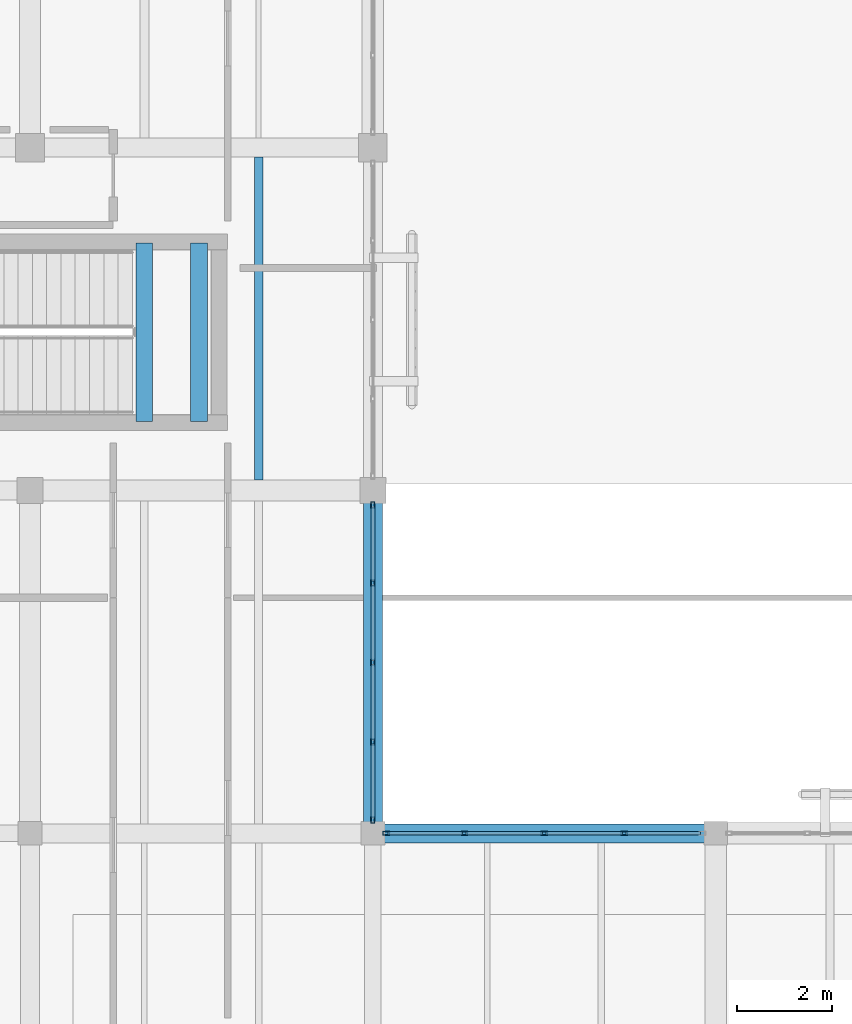
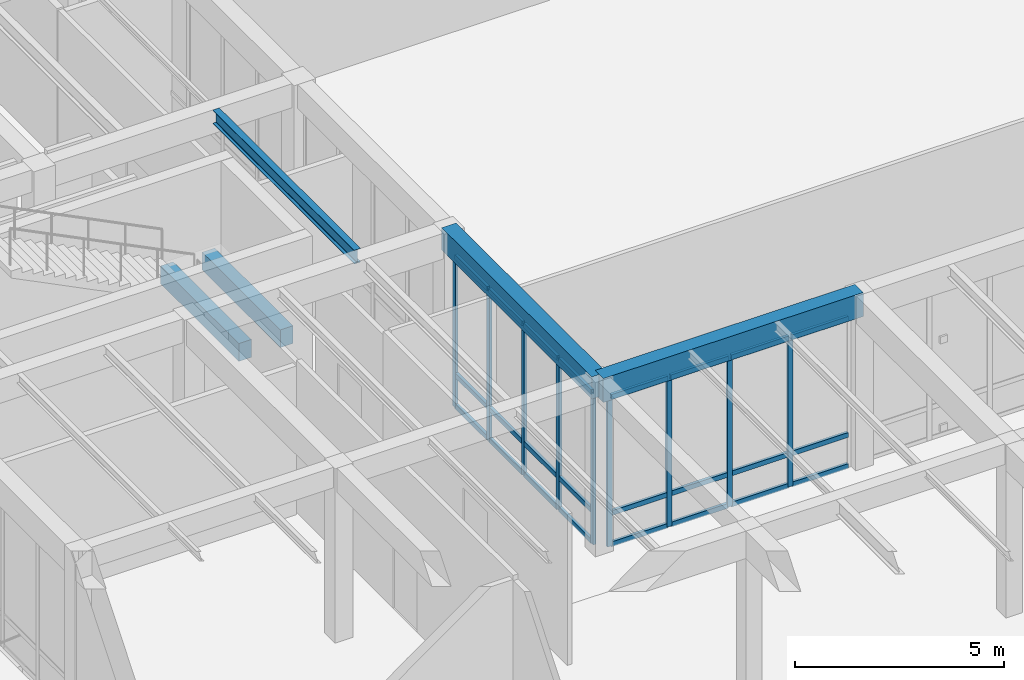
# One storey, part 94 of 169: 33 members, 5 beams, 2 elements without a shape of their own.
"""IFC4 building model written with IfcOpenShell, lengths in metres."""

from ifc_helpers import new_model, si_unit, direction, frame, origin, origin_2d, place, context, subcontext, project, spatial, rectangle, hollow_rectangle, i_section, extrude, material, layer, layer_set, material_profile, profile_set, type_object, element, aggregate, save


model = new_model("IFC4")

# Units and contexts
model_context = context("Model", 3, precision=1e-05, world=origin(), true_north=direction((0.0, 1.0)))
body_context = subcontext(model_context, "Body", "Model", "MODEL_VIEW")
ifc_project = project(units=[si_unit("LENGTHUNIT", "METRE"), si_unit("AREAUNIT", "SQUARE_METRE"), si_unit("VOLUMEUNIT", "CUBIC_METRE"), si_unit("PLANEANGLEUNIT", "RADIAN"), si_unit("MASSUNIT", "GRAM", prefix="KILO")], contexts=[model_context])

# Site, building, storey
site_placement = place(None, origin())
site = spatial("IfcSite", under=ifc_project, at=site_placement, CompositionType="ELEMENT")
building_placement = place(site_placement, origin())
building = spatial("IfcBuilding", under=site, at=building_placement, Name="Mazaris Harbour Polytechnic", CompositionType="ELEMENT")
storey_placement = place(building_placement, origin())
storey = spatial("IfcBuildingStorey", under=building, at=storey_placement, Name="L00", CompositionType="ELEMENT", Elevation=0.0)

# Curtain wall, members
ifc_material_1 = material(Name="Anodised Bronze Aluminium and Low-E Glass", Category="aluminium")
ifc_layer = layer(ifc_material_1, 0.169921875, Name="Anodised Bronze Aluminium and Low-E Glass")
ifc_layer_set = layer_set([ifc_layer], Name="Anodised Bronze Aluminium and Low-E Glass")
curtain_wall_type = type_object("IfcCurtainWallType", Name="Studio North-Light Curtain Wall", PredefinedType="NOTDEFINED", material=ifc_layer_set)
curtain_wall_1_placement = place(storey_placement, origin())
curtain_wall_1 = element("IfcCurtainWall", 1, at=curtain_wall_1_placement, inside=storey, type_object=curtain_wall_type, Name="V5 L00 Curtain Wall 191", PredefinedType="NOTDEFINED")
ifc_material_2 = material(Name="Anodised Bronze Steel S355", Category="steel")
ifc_material_profile_1 = material_profile(ifc_material_2, hollow_rectangle(XDim=0.080078125, YDim=0.139892578125, WallThickness=0.00634765625, at=origin_2d()), Name="RHS 80x140x6.3")
ifc_profile_set_1 = profile_set([ifc_material_profile_1], Name="Anodised Bronze Steel S355")
member_type_1 = type_object("IfcMemberType", Name="Curtain Mullion RHS80x140", PredefinedType="MULLION", material=ifc_profile_set_1)
member_1_placement = place(storey_placement, frame((137.08203125, 61.199951171875, 0.0), z_axis=(0.0, 0.0, 1.0), x_axis=(0.0, 1.0, 0.0)))
member_1 = element("IfcMember", 2, at=member_1_placement, type_object=member_type_1, Name="CW-03 mullion 1", PredefinedType="MULLION", context=body_context, shape_type="SweptSolid", body=[
    extrude(hollow_rectangle(XDim=0.080078125, YDim=0.139892578125, WallThickness=0.00634765625, at=origin_2d()), origin(), (0.0, 0.0, 1.0), 4.389892578125),
])
member_2_placement = place(storey_placement, frame((138.720947265625, 61.199951171875, 0.0), z_axis=(0.0, 0.0, 1.0), x_axis=(0.0, 1.0, 0.0)))
member_2 = element("IfcMember", 3, at=member_2_placement, type_object=member_type_1, Name="CW-03 mullion 2", PredefinedType="MULLION", context=body_context, shape_type="SweptSolid", body=[
    extrude(hollow_rectangle(XDim=0.080078125, YDim=0.139892578125, WallThickness=0.00634765625, at=origin_2d()), origin(), (0.0, 0.0, 1.0), 4.389892578125),
])
member_3_placement = place(storey_placement, frame((140.39990234375, 61.199951171875, 0.0), z_axis=(0.0, 0.0, 1.0), x_axis=(0.0, 1.0, 0.0)))
member_3 = element("IfcMember", 4, at=member_3_placement, type_object=member_type_1, Name="CW-03 mullion 3", PredefinedType="MULLION", context=body_context, shape_type="SweptSolid", body=[
    extrude(hollow_rectangle(XDim=0.080078125, YDim=0.139892578125, WallThickness=0.00634765625, at=origin_2d()), origin(), (0.0, 0.0, 1.0), 4.389892578125),
])
member_4_placement = place(storey_placement, frame((142.0791015625, 61.199951171875, 0.0), z_axis=(0.0, 0.0, 1.0), x_axis=(0.0, 1.0, 0.0)))
member_4 = element("IfcMember", 5, at=member_4_placement, type_object=member_type_1, Name="CW-03 mullion 4", PredefinedType="MULLION", context=body_context, shape_type="SweptSolid", body=[
    extrude(hollow_rectangle(XDim=0.080078125, YDim=0.139892578125, WallThickness=0.00634765625, at=origin_2d()), origin(), (0.0, 0.0, 1.0), 4.389892578125),
])

curtain_wall_2_placement = place(storey_placement, origin())
curtain_wall_2 = element("IfcCurtainWall", 6, at=curtain_wall_2_placement, inside=storey, type_object=curtain_wall_type, Name="V5 L00 Curtain Wall 197", PredefinedType="NOTDEFINED")
member_5_placement = place(storey_placement, frame((136.800048828125, 61.48193359375, 0.0), z_axis=(0.0, 0.0, 1.0), x_axis=(-1.0, 0.0, 0.0)))
member_5 = element("IfcMember", 7, at=member_5_placement, type_object=member_type_1, Name="CW-03 mullion 1", PredefinedType="MULLION", context=body_context, shape_type="SweptSolid", body=[
    extrude(hollow_rectangle(XDim=0.080078125, YDim=0.139892578125, WallThickness=0.00634765625, at=origin_2d()), origin(), (0.0, 0.0, 1.0), 4.43994140625),
])
member_6_placement = place(storey_placement, frame((136.800048828125, 63.11474609375, 0.0), z_axis=(0.0, 0.0, 1.0), x_axis=(-1.0, 0.0, 0.0)))
member_6 = element("IfcMember", 8, at=member_6_placement, type_object=member_type_1, Name="CW-03 mullion 2", PredefinedType="MULLION", context=body_context, shape_type="SweptSolid", body=[
    extrude(hollow_rectangle(XDim=0.080078125, YDim=0.139892578125, WallThickness=0.00634765625, at=origin_2d()), origin(), (0.0, 0.0, 1.0), 4.43994140625),
])
member_7_placement = place(storey_placement, frame((136.800048828125, 64.78759765625, 0.0), z_axis=(0.0, 0.0, 1.0), x_axis=(-1.0, 0.0, 0.0)))
member_7 = element("IfcMember", 9, at=member_7_placement, type_object=member_type_1, Name="CW-03 mullion 3", PredefinedType="MULLION", context=body_context, shape_type="SweptSolid", body=[
    extrude(hollow_rectangle(XDim=0.080078125, YDim=0.139892578125, WallThickness=0.00634765625, at=origin_2d()), origin(), (0.0, 0.0, 1.0), 4.43994140625),
])
member_8_placement = place(storey_placement, frame((136.800048828125, 66.460205078125, 0.0), z_axis=(0.0, 0.0, 1.0), x_axis=(-1.0, 0.0, 0.0)))
member_8 = element("IfcMember", 10, at=member_8_placement, type_object=member_type_1, Name="CW-03 mullion 4", PredefinedType="MULLION", context=body_context, shape_type="SweptSolid", body=[
    extrude(hollow_rectangle(XDim=0.080078125, YDim=0.139892578125, WallThickness=0.00634765625, at=origin_2d()), origin(), (0.0, 0.0, 1.0), 4.43994140625),
])
member_9_placement = place(storey_placement, frame((136.800048828125, 68.093017578125, 0.0), z_axis=(0.0, 0.0, 1.0), x_axis=(-1.0, 0.0, 0.0)))
member_9 = element("IfcMember", 11, at=member_9_placement, type_object=member_type_1, Name="CW-03 mullion 5", PredefinedType="MULLION", context=body_context, shape_type="SweptSolid", body=[
    extrude(hollow_rectangle(XDim=0.080078125, YDim=0.139892578125, WallThickness=0.00634765625, at=origin_2d()), origin(), (0.0, 0.0, 1.0), 4.43994140625),
])

# Member
ifc_material_3 = material(Name="Anodised Bronze Steel S355", Category="steel")
ifc_material_profile_2 = material_profile(ifc_material_3, hollow_rectangle(XDim=0.080078125, YDim=0.139892578125, WallThickness=0.00634765625, at=origin_2d()), Name="RHS 80x140x6.3")
ifc_profile_set_2 = profile_set([ifc_material_profile_2], Name="Anodised Bronze Steel S355")
member_type_2 = type_object("IfcMemberType", Name="Curtain Transom RHS80x140", PredefinedType="USERDEFINED", material=ifc_profile_set_2)
member_10_placement = place(storey_placement, frame((137.1220703125, 61.199951171875, 0.0400390625), z_axis=(1.0, 0.0, 0.0), x_axis=(0.0, 1.0, 0.0)))
member_10 = element("IfcMember", 12, at=member_10_placement, type_object=member_type_2, Name="CW-03 transom 1.1", ObjectType="TRANSOM", PredefinedType="USERDEFINED", context=body_context, shape_type="SweptSolid", body=[
    extrude(hollow_rectangle(XDim=0.080078125, YDim=0.139892578125, WallThickness=0.00634765625, at=origin_2d()), origin(), (0.0, 0.0, 1.0), 1.558837890625),
])

member_11_placement = place(storey_placement, frame((137.1220703125, 61.199951171875, 0.949951171875), z_axis=(1.0, 0.0, 0.0), x_axis=(0.0, 1.0, 0.0)))
member_11 = element("IfcMember", 13, at=member_11_placement, type_object=member_type_2, Name="CW-03 transom 1.2", ObjectType="TRANSOM", PredefinedType="USERDEFINED", context=body_context, shape_type="SweptSolid", body=[
    extrude(hollow_rectangle(XDim=0.080078125, YDim=0.139892578125, WallThickness=0.00634765625, at=origin_2d()), origin(), (0.0, 0.0, 1.0), 1.558837890625),
])

member_12_placement = place(storey_placement, frame((137.1220703125, 61.199951171875, 4.35009765625), z_axis=(1.0, 0.0, 0.0), x_axis=(0.0, 1.0, 0.0)))
member_12 = element("IfcMember", 14, at=member_12_placement, type_object=member_type_2, Name="CW-03 transom 1.3", ObjectType="TRANSOM", PredefinedType="USERDEFINED", context=body_context, shape_type="SweptSolid", body=[
    extrude(hollow_rectangle(XDim=0.080078125, YDim=0.139892578125, WallThickness=0.00634765625, at=origin_2d()), origin(), (0.0, 0.0, 1.0), 1.558837890625),
])

member_13_placement = place(storey_placement, frame((138.760986328125, 61.199951171875, 0.0400390625), z_axis=(1.0, 0.0, 0.0), x_axis=(0.0, 1.0, 0.0)))
member_13 = element("IfcMember", 15, at=member_13_placement, type_object=member_type_2, Name="CW-03 transom 2.1", ObjectType="TRANSOM", PredefinedType="USERDEFINED", context=body_context, shape_type="SweptSolid", body=[
    extrude(hollow_rectangle(XDim=0.080078125, YDim=0.139892578125, WallThickness=0.00634765625, at=origin_2d()), origin(), (0.0, 0.0, 1.0), 1.59912109375),
])

member_14_placement = place(storey_placement, frame((138.760986328125, 61.199951171875, 0.949951171875), z_axis=(1.0, 0.0, 0.0), x_axis=(0.0, 1.0, 0.0)))
member_14 = element("IfcMember", 16, at=member_14_placement, type_object=member_type_2, Name="CW-03 transom 2.2", ObjectType="TRANSOM", PredefinedType="USERDEFINED", context=body_context, shape_type="SweptSolid", body=[
    extrude(hollow_rectangle(XDim=0.080078125, YDim=0.139892578125, WallThickness=0.00634765625, at=origin_2d()), origin(), (0.0, 0.0, 1.0), 1.59912109375),
])

member_15_placement = place(storey_placement, frame((138.760986328125, 61.199951171875, 4.35009765625), z_axis=(1.0, 0.0, 0.0), x_axis=(0.0, 1.0, 0.0)))
member_15 = element("IfcMember", 17, at=member_15_placement, type_object=member_type_2, Name="CW-03 transom 2.3", ObjectType="TRANSOM", PredefinedType="USERDEFINED", context=body_context, shape_type="SweptSolid", body=[
    extrude(hollow_rectangle(XDim=0.080078125, YDim=0.139892578125, WallThickness=0.00634765625, at=origin_2d()), origin(), (0.0, 0.0, 1.0), 1.59912109375),
])

member_16_placement = place(storey_placement, frame((140.43994140625, 61.199951171875, 0.0400390625), z_axis=(1.0, 0.0, 0.0), x_axis=(0.0, 1.0, 0.0)))
member_16 = element("IfcMember", 18, at=member_16_placement, type_object=member_type_2, Name="CW-03 transom 3.1", ObjectType="TRANSOM", PredefinedType="USERDEFINED", context=body_context, shape_type="SweptSolid", body=[
    extrude(hollow_rectangle(XDim=0.080078125, YDim=0.139892578125, WallThickness=0.00634765625, at=origin_2d()), origin(), (0.0, 0.0, 1.0), 1.59912109375),
])

member_17_placement = place(storey_placement, frame((140.43994140625, 61.199951171875, 0.949951171875), z_axis=(1.0, 0.0, 0.0), x_axis=(0.0, 1.0, 0.0)))
member_17 = element("IfcMember", 19, at=member_17_placement, type_object=member_type_2, Name="CW-03 transom 3.2", ObjectType="TRANSOM", PredefinedType="USERDEFINED", context=body_context, shape_type="SweptSolid", body=[
    extrude(hollow_rectangle(XDim=0.080078125, YDim=0.139892578125, WallThickness=0.00634765625, at=origin_2d()), origin(), (0.0, 0.0, 1.0), 1.59912109375),
])

member_18_placement = place(storey_placement, frame((140.43994140625, 61.199951171875, 4.35009765625), z_axis=(1.0, 0.0, 0.0), x_axis=(0.0, 1.0, 0.0)))
member_18 = element("IfcMember", 20, at=member_18_placement, type_object=member_type_2, Name="CW-03 transom 3.3", ObjectType="TRANSOM", PredefinedType="USERDEFINED", context=body_context, shape_type="SweptSolid", body=[
    extrude(hollow_rectangle(XDim=0.080078125, YDim=0.139892578125, WallThickness=0.00634765625, at=origin_2d()), origin(), (0.0, 0.0, 1.0), 1.59912109375),
])

member_19_placement = place(storey_placement, frame((142.118896484375, 61.199951171875, 0.0400390625), z_axis=(1.0, 0.0, 0.0), x_axis=(0.0, 1.0, 0.0)))
member_19 = element("IfcMember", 21, at=member_19_placement, type_object=member_type_2, Name="CW-03 transom 4.1", ObjectType="TRANSOM", PredefinedType="USERDEFINED", context=body_context, shape_type="SweptSolid", body=[
    extrude(hollow_rectangle(XDim=0.080078125, YDim=0.139892578125, WallThickness=0.00634765625, at=origin_2d()), origin(), (0.0, 0.0, 1.0), 1.55908203125),
])

member_20_placement = place(storey_placement, frame((142.118896484375, 61.199951171875, 0.949951171875), z_axis=(1.0, 0.0, 0.0), x_axis=(0.0, 1.0, 0.0)))
member_20 = element("IfcMember", 22, at=member_20_placement, type_object=member_type_2, Name="CW-03 transom 4.2", ObjectType="TRANSOM", PredefinedType="USERDEFINED", context=body_context, shape_type="SweptSolid", body=[
    extrude(hollow_rectangle(XDim=0.080078125, YDim=0.139892578125, WallThickness=0.00634765625, at=origin_2d()), origin(), (0.0, 0.0, 1.0), 1.55908203125),
])

member_21_placement = place(storey_placement, frame((142.118896484375, 61.199951171875, 4.35009765625), z_axis=(1.0, 0.0, 0.0), x_axis=(0.0, 1.0, 0.0)))
member_21 = element("IfcMember", 23, at=member_21_placement, type_object=member_type_2, Name="CW-03 transom 4.3", ObjectType="TRANSOM", PredefinedType="USERDEFINED", context=body_context, shape_type="SweptSolid", body=[
    extrude(hollow_rectangle(XDim=0.080078125, YDim=0.139892578125, WallThickness=0.00634765625, at=origin_2d()), origin(), (0.0, 0.0, 1.0), 1.55908203125),
])

aggregate(curtain_wall_1, [member_1, member_2, member_3, member_4, member_10, member_11, member_12, member_13, member_14, member_15, member_16, member_17, member_18, member_19, member_20, member_21])

member_22_placement = place(storey_placement, frame((136.800048828125, 61.52197265625, 0.0400390625), z_axis=(0.0, 1.0, 0.0), x_axis=(-1.0, 0.0, 0.0)))
member_22 = element("IfcMember", 24, at=member_22_placement, type_object=member_type_2, Name="CW-03 transom 1.1", ObjectType="TRANSOM", PredefinedType="USERDEFINED", context=body_context, shape_type="SweptSolid", body=[
    extrude(hollow_rectangle(XDim=0.080078125, YDim=0.139892578125, WallThickness=0.00634765625, at=origin_2d()), origin(), (0.0, 0.0, 1.0), 1.552734375),
])

member_23_placement = place(storey_placement, frame((136.800048828125, 61.52197265625, 0.949951171875), z_axis=(0.0, 1.0, 0.0), x_axis=(-1.0, 0.0, 0.0)))
member_23 = element("IfcMember", 25, at=member_23_placement, type_object=member_type_2, Name="CW-03 transom 1.2", ObjectType="TRANSOM", PredefinedType="USERDEFINED", context=body_context, shape_type="SweptSolid", body=[
    extrude(hollow_rectangle(XDim=0.080078125, YDim=0.139892578125, WallThickness=0.00634765625, at=origin_2d()), origin(), (0.0, 0.0, 1.0), 1.552734375),
])

member_24_placement = place(storey_placement, frame((136.800048828125, 61.52197265625, 4.39990234375), z_axis=(0.0, 1.0, 0.0), x_axis=(-1.0, 0.0, 0.0)))
member_24 = element("IfcMember", 26, at=member_24_placement, type_object=member_type_2, Name="CW-03 transom 1.3", ObjectType="TRANSOM", PredefinedType="USERDEFINED", context=body_context, shape_type="SweptSolid", body=[
    extrude(hollow_rectangle(XDim=0.080078125, YDim=0.139892578125, WallThickness=0.00634765625, at=origin_2d()), origin(), (0.0, 0.0, 1.0), 1.552734375),
])

member_25_placement = place(storey_placement, frame((136.800048828125, 63.15478515625, 0.0400390625), z_axis=(0.0, 1.0, 0.0), x_axis=(-1.0, 0.0, 0.0)))
member_25 = element("IfcMember", 27, at=member_25_placement, type_object=member_type_2, Name="CW-03 transom 2.1", ObjectType="TRANSOM", PredefinedType="USERDEFINED", context=body_context, shape_type="SweptSolid", body=[
    extrude(hollow_rectangle(XDim=0.080078125, YDim=0.139892578125, WallThickness=0.00634765625, at=origin_2d()), origin(), (0.0, 0.0, 1.0), 1.5927734375),
])

member_26_placement = place(storey_placement, frame((136.800048828125, 63.15478515625, 0.949951171875), z_axis=(0.0, 1.0, 0.0), x_axis=(-1.0, 0.0, 0.0)))
member_26 = element("IfcMember", 28, at=member_26_placement, type_object=member_type_2, Name="CW-03 transom 2.2", ObjectType="TRANSOM", PredefinedType="USERDEFINED", context=body_context, shape_type="SweptSolid", body=[
    extrude(hollow_rectangle(XDim=0.080078125, YDim=0.139892578125, WallThickness=0.00634765625, at=origin_2d()), origin(), (0.0, 0.0, 1.0), 1.5927734375),
])

member_27_placement = place(storey_placement, frame((136.800048828125, 63.15478515625, 4.39990234375), z_axis=(0.0, 1.0, 0.0), x_axis=(-1.0, 0.0, 0.0)))
member_27 = element("IfcMember", 29, at=member_27_placement, type_object=member_type_2, Name="CW-03 transom 2.3", ObjectType="TRANSOM", PredefinedType="USERDEFINED", context=body_context, shape_type="SweptSolid", body=[
    extrude(hollow_rectangle(XDim=0.080078125, YDim=0.139892578125, WallThickness=0.00634765625, at=origin_2d()), origin(), (0.0, 0.0, 1.0), 1.5927734375),
])

member_28_placement = place(storey_placement, frame((136.800048828125, 64.827392578125, 0.0400390625), z_axis=(0.0, 1.0, 0.0), x_axis=(-1.0, 0.0, 0.0)))
member_28 = element("IfcMember", 30, at=member_28_placement, type_object=member_type_2, Name="CW-03 transom 3.1", ObjectType="TRANSOM", PredefinedType="USERDEFINED", context=body_context, shape_type="SweptSolid", body=[
    extrude(hollow_rectangle(XDim=0.080078125, YDim=0.139892578125, WallThickness=0.00634765625, at=origin_2d()), origin(), (0.0, 0.0, 1.0), 1.5927734375),
])

member_29_placement = place(storey_placement, frame((136.800048828125, 64.827392578125, 0.949951171875), z_axis=(0.0, 1.0, 0.0), x_axis=(-1.0, 0.0, 0.0)))
member_29 = element("IfcMember", 31, at=member_29_placement, type_object=member_type_2, Name="CW-03 transom 3.2", ObjectType="TRANSOM", PredefinedType="USERDEFINED", context=body_context, shape_type="SweptSolid", body=[
    extrude(hollow_rectangle(XDim=0.080078125, YDim=0.139892578125, WallThickness=0.00634765625, at=origin_2d()), origin(), (0.0, 0.0, 1.0), 1.5927734375),
])

member_30_placement = place(storey_placement, frame((136.800048828125, 64.827392578125, 4.39990234375), z_axis=(0.0, 1.0, 0.0), x_axis=(-1.0, 0.0, 0.0)))
member_30 = element("IfcMember", 32, at=member_30_placement, type_object=member_type_2, Name="CW-03 transom 3.3", ObjectType="TRANSOM", PredefinedType="USERDEFINED", context=body_context, shape_type="SweptSolid", body=[
    extrude(hollow_rectangle(XDim=0.080078125, YDim=0.139892578125, WallThickness=0.00634765625, at=origin_2d()), origin(), (0.0, 0.0, 1.0), 1.5927734375),
])

member_31_placement = place(storey_placement, frame((136.800048828125, 66.500244140625, 0.0400390625), z_axis=(0.0, 1.0, 0.0), x_axis=(-1.0, 0.0, 0.0)))
member_31 = element("IfcMember", 33, at=member_31_placement, type_object=member_type_2, Name="CW-03 transom 4.1", ObjectType="TRANSOM", PredefinedType="USERDEFINED", context=body_context, shape_type="SweptSolid", body=[
    extrude(hollow_rectangle(XDim=0.080078125, YDim=0.139892578125, WallThickness=0.00634765625, at=origin_2d()), origin(), (0.0, 0.0, 1.0), 1.552734375),
])

member_32_placement = place(storey_placement, frame((136.800048828125, 66.500244140625, 0.949951171875), z_axis=(0.0, 1.0, 0.0), x_axis=(-1.0, 0.0, 0.0)))
member_32 = element("IfcMember", 34, at=member_32_placement, type_object=member_type_2, Name="CW-03 transom 4.2", ObjectType="TRANSOM", PredefinedType="USERDEFINED", context=body_context, shape_type="SweptSolid", body=[
    extrude(hollow_rectangle(XDim=0.080078125, YDim=0.139892578125, WallThickness=0.00634765625, at=origin_2d()), origin(), (0.0, 0.0, 1.0), 1.552734375),
])

member_33_placement = place(storey_placement, frame((136.800048828125, 66.500244140625, 4.39990234375), z_axis=(0.0, 1.0, 0.0), x_axis=(-1.0, 0.0, 0.0)))
member_33 = element("IfcMember", 35, at=member_33_placement, type_object=member_type_2, Name="CW-03 transom 4.3", ObjectType="TRANSOM", PredefinedType="USERDEFINED", context=body_context, shape_type="SweptSolid", body=[
    extrude(hollow_rectangle(XDim=0.080078125, YDim=0.139892578125, WallThickness=0.00634765625, at=origin_2d()), origin(), (0.0, 0.0, 1.0), 1.552734375),
])

aggregate(curtain_wall_2, [member_5, member_6, member_7, member_8, member_9, member_22, member_23, member_24, member_25, member_26, member_27, member_28, member_29, member_30, member_31, member_32, member_33])

# Beams
ifc_material_4 = material(Name="Concrete C35/45", Category="concrete")
ifc_material_profile_3 = material_profile(ifc_material_4, rectangle(XDim=0.39990234375, YDim=0.64990234375, at=origin_2d()), Name="RECT400x650")
ifc_profile_set_3 = profile_set([ifc_material_profile_3], Name="Concrete C35/45")
beam_type_1 = type_object("IfcBeamType", Name="RC Girder 400x650", PredefinedType="BEAM", material=ifc_profile_set_3)
beam_1_placement = place(storey_placement, frame((136.800048828125, 61.199951171875, 4.77490234375), z_axis=(0.0, 1.0, 0.0), x_axis=(-1.0, 0.0, 0.0)))
element("IfcBeam", 36, at=beam_1_placement, inside=storey, type_object=beam_type_1, Name="V5 L00 Tie Girder 2776", PredefinedType="BEAM", context=body_context, shape_type="SweptSolid", body=[
    extrude(rectangle(XDim=0.39990234375, YDim=0.64990234375, at=origin_2d()), origin(), (0.0, 0.0, 1.0), 7.199951171875),
])
ifc_material_5 = material(Name="Concrete C35/45", Category="concrete")
ifc_material_profile_4 = material_profile(ifc_material_5, rectangle(XDim=0.39990234375, YDim=0.699951171875, at=origin_2d()), Name="RECT400x700")
ifc_profile_set_4 = profile_set([ifc_material_profile_4], Name="Concrete C35/45")
beam_type_2 = type_object("IfcBeamType", Name="RC Girder 400x700", PredefinedType="BEAM", material=ifc_profile_set_4)
beam_2_placement = place(storey_placement, frame((136.800048828125, 61.199951171875, 4.75), z_axis=(1.0, 0.0, 0.0), x_axis=(0.0, 1.0, 0.0)))
element("IfcBeam", 37, at=beam_2_placement, inside=storey, type_object=beam_type_2, Name="V5 L00 Girder 2712", PredefinedType="BEAM", context=body_context, shape_type="SweptSolid", body=[
    extrude(rectangle(XDim=0.39990234375, YDim=0.699951171875, at=origin_2d()), origin(), (0.0, 0.0, 1.0), 7.199951171875),
])
ifc_material_6 = material(Name="Concrete C40/50", Category="concrete")
ifc_material_profile_5 = material_profile(ifc_material_6, rectangle(XDim=0.35009765625, YDim=0.52001953125, at=origin_2d()), Name="RECT350x520")
ifc_profile_set_5 = profile_set([ifc_material_profile_5], Name="Concrete C40/50")
beam_type_3 = type_object("IfcBeamType", Name="RC Landing Bearer 350x520", PredefinedType="BEAM", material=ifc_profile_set_5)
for number, where, z_axis, x_axis, name in (
    (38, (132.0, 69.85009765625, 2.239990234375), (0.0, 1.0, 0.0), (-1.0, 0.0, 0.0), "Core ST09 L00 Landing Bearer"),
    (39, (133.14990234375, 69.85009765625, 2.239990234375), (0.0, 1.0, 0.0), (-1.0, 0.0, 0.0), "Core ST09 L00 Landing Bearer"),
):
    element("IfcBeam", number, at=place(storey_placement, frame(where, z_axis=z_axis, x_axis=x_axis)), inside=storey, type_object=beam_type_3, Name=name, PredefinedType="BEAM", context=body_context, shape_type="SweptSolid", body=[
        extrude(rectangle(XDim=0.35009765625, YDim=0.52001953125, at=origin_2d()), origin(), (0.0, 0.0, 1.0), 3.75),
    ])
ifc_material_7 = material(Name="Steel S355", Category="steel")
ifc_material_profile_6 = material_profile(ifc_material_7, i_section(OverallWidth=0.179931640625, OverallDepth=0.39990234375, WebThickness=0.008544921875, FlangeThickness=0.013427734375, FilletRadius=0.02099609375, at=origin_2d()), Name="IPE 400")
ifc_profile_set_6 = profile_set([ifc_material_profile_6], Name="Steel S355")
beam_type_4 = type_object("IfcBeamType", Name="Steel Joist IPE400", PredefinedType="JOIST", material=ifc_profile_set_6)
beam_3_placement = place(storey_placement, frame((134.39990234375, 68.625, 4.89990234375), z_axis=(0.0, 1.0, 0.0), x_axis=(-1.0, 0.0, 0.0)))
element("IfcBeam", 40, at=beam_3_placement, inside=storey, type_object=beam_type_4, Name="V5 L00 Floor Joist 2840", PredefinedType="JOIST", context=body_context, shape_type="SweptSolid", body=[
    extrude(i_section(OverallWidth=0.179931640625, OverallDepth=0.39990234375, WebThickness=0.008544921875, FlangeThickness=0.013427734375, FilletRadius=0.02099609375, at=origin_2d()), origin(), (0.0, 0.0, 1.0), 6.77490234375),
])

save(model, "model.ifc")
